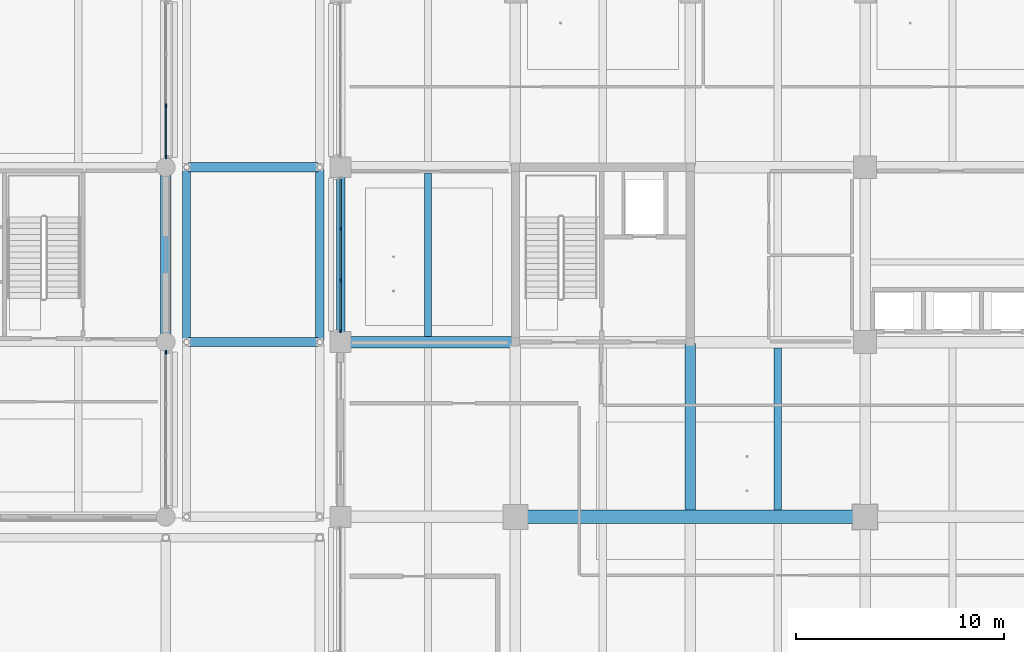
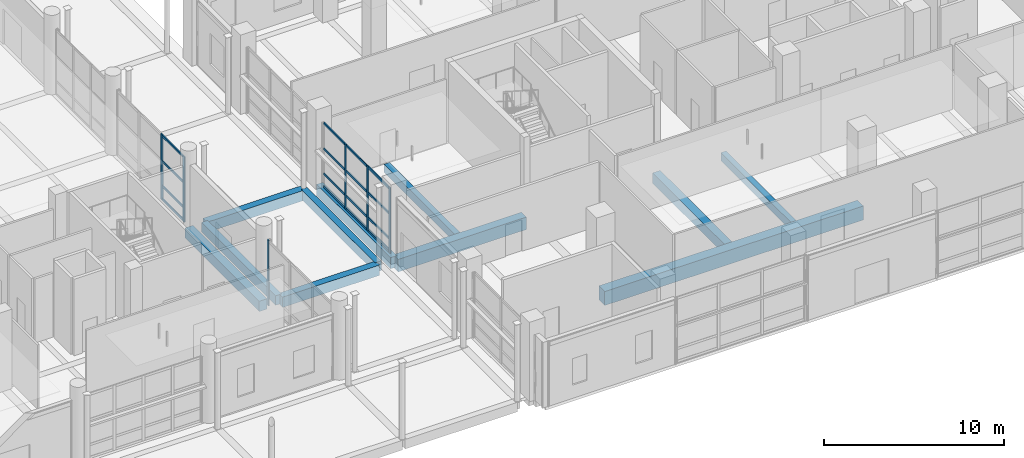
# One storey, part 21 of 140: 22 members, 11 beams, 3 elements without a shape of their own.
"""IFC4 building model written with IfcOpenShell, lengths in metres."""

from ifc_helpers import new_model, si_unit, direction, frame, origin, origin_2d, place, context, subcontext, project, spatial, rectangle, extrude, material, layer, layer_set, material_profile, profile_set, type_object, element, aggregate, save


model = new_model("IFC4")

# Units and contexts
model_context = context("Model", 3, precision=1e-05, world=origin(), true_north=direction((0.0, 1.0)))
body_context = subcontext(model_context, "Body", "Model", "MODEL_VIEW")
ifc_project = project(units=[si_unit("LENGTHUNIT", "METRE"), si_unit("AREAUNIT", "SQUARE_METRE"), si_unit("VOLUMEUNIT", "CUBIC_METRE"), si_unit("PLANEANGLEUNIT", "RADIAN"), si_unit("MASSUNIT", "GRAM", prefix="KILO")], contexts=[model_context])

# Site, building, storey
site_placement = place(None, origin())
site = spatial("IfcSite", under=ifc_project, at=site_placement, CompositionType="ELEMENT")
building_placement = place(site_placement, origin())
building = spatial("IfcBuilding", under=site, at=building_placement, Name="Telukmera Botanical Conservatory", CompositionType="ELEMENT")
storey_placement = place(building_placement, origin())
storey = spatial("IfcBuildingStorey", under=building, at=storey_placement, Name="L00", CompositionType="ELEMENT", Elevation=0.0)

# Beams
ifc_material_1 = material(Name="Concrete C40/50", Category="concrete")
ifc_material_profile_1 = material_profile(ifc_material_1, rectangle(XDim=0.5, YDim=0.699951171875, at=origin_2d()), Name="RC 500x700")
ifc_profile_set_1 = profile_set([ifc_material_profile_1], Name="Concrete C40/50")
beam_type_1 = type_object("IfcBeamType", Name="Beam_B14", PredefinedType="BEAM", material=ifc_profile_set_1)
beam_1_placement = place(storey_placement, frame((67.199951171875, 17.925048828125, -0.35009765625), z_axis=(0.0, 1.0, 0.0), x_axis=(-1.0, 0.0, 0.0)))
element("IfcBeam", 1, at=beam_1_placement, inside=storey, type_object=beam_type_1, Name="Tower Hall Secondary Girder L00", PredefinedType="BEAM", context=body_context, shape_type="SweptSolid", body=[
    extrude(rectangle(XDim=0.5, YDim=0.699951171875, at=origin_2d()), origin(), (0.0, 0.0, 1.0), 7.994873046875),
])
beam_2_placement = place(storey_placement, frame((42.0, 26.080078125, -0.35009765625), z_axis=(0.0, 1.0, 0.0), x_axis=(-1.0, 0.0, 0.0)))
element("IfcBeam", 2, at=beam_2_placement, inside=storey, type_object=beam_type_1, Name="Visitor Wing Transverse Beam L00", PredefinedType="BEAM", context=body_context, shape_type="SweptSolid", body=[
    extrude(rectangle(XDim=0.5, YDim=0.699951171875, at=origin_2d()), origin(), (0.0, 0.0, 1.0), 8.239990234375),
])
ifc_material_profile_2 = material_profile(ifc_material_1, rectangle(XDim=0.449951171875, YDim=0.699951171875, at=origin_2d()), Name="RC 450x700")
ifc_profile_set_2 = profile_set([ifc_material_profile_2], Name="Concrete C40/50")
beam_type_2 = type_object("IfcBeamType", Name="Beam_B15", PredefinedType="BEAM", material=ifc_profile_set_2)
for number, where, z_axis, x_axis, name in (
    (3, (43.080078125, 26.0, -0.35009765625), (1.0, 0.0, 0.0), (0.0, 1.0, 0.0), "West Arcade Deck Transverse Beam L00"),
    (4, (43.080078125, 34.39990234375, -0.35009765625), (1.0, 0.0, 0.0), (0.0, 1.0, 0.0), "West Arcade Deck Transverse Beam L00"),
):
    element("IfcBeam", number, at=place(storey_placement, frame(where, z_axis=z_axis, x_axis=x_axis)), inside=storey, type_object=beam_type_2, Name=name, PredefinedType="BEAM", context=body_context, shape_type="SweptSolid", body=[
        extrude(rectangle(XDim=0.449951171875, YDim=0.699951171875, at=origin_2d()), origin(), (0.0, 0.0, 1.0), 6.239990234375),
    ])
ifc_material_profile_3 = material_profile(ifc_material_1, rectangle(XDim=0.64990234375, YDim=0.949951171875, at=origin_2d()), Name="RC 650x950")
ifc_profile_set_3 = profile_set([ifc_material_profile_3], Name="Concrete C40/50")
beam_type_3 = type_object("IfcBeamType", Name="Beam_B2", PredefinedType="BEAM", material=ifc_profile_set_3)
beam_3_placement = place(storey_placement, frame((58.8798828125, 17.60009765625, -0.47509765625), z_axis=(1.0, 0.0, 0.0), x_axis=(0.0, 1.0, 0.0)))
element("IfcBeam", 5, at=beam_3_placement, inside=storey, type_object=beam_type_3, Name="Tower Grid Beam L00", PredefinedType="BEAM", context=body_context, shape_type="SweptSolid", body=[
    extrude(rectangle(XDim=0.64990234375, YDim=0.949951171875, at=origin_2d()), origin(), (0.0, 0.0, 1.0), 16.64013671875),
])
ifc_material_profile_4 = material_profile(ifc_material_1, rectangle(XDim=0.35009765625, YDim=0.550048828125, at=origin_2d()), Name="RC 350x550")
ifc_profile_set_4 = profile_set([ifc_material_profile_4], Name="Concrete C40/50")
beam_type_4 = type_object("IfcBeamType", Name="Beam_B21", PredefinedType="JOIST", material=ifc_profile_set_4)
beam_4_placement = place(storey_placement, frame((54.60009765625, 26.27490234375, -0.27490234375), z_axis=(0.0, 1.0, 0.0), x_axis=(-1.0, 0.0, 0.0)))
element("IfcBeam", 6, at=beam_4_placement, inside=storey, type_object=beam_type_4, Name="Tower Secondary Floor Joist L00", PredefinedType="JOIST", context=body_context, shape_type="SweptSolid", body=[
    extrude(rectangle(XDim=0.35009765625, YDim=0.550048828125, at=origin_2d()), origin(), (0.0, 0.0, 1.0), 7.85009765625),
])
beam_5_placement = place(storey_placement, frame((71.39990234375, 17.925048828125, -0.27490234375), z_axis=(0.0, 1.0, 0.0), x_axis=(-1.0, 0.0, 0.0)))
element("IfcBeam", 7, at=beam_5_placement, inside=storey, type_object=beam_type_4, Name="Tower Secondary Floor Joist L00", PredefinedType="JOIST", context=body_context, shape_type="SweptSolid", body=[
    extrude(rectangle(XDim=0.35009765625, YDim=0.550048828125, at=origin_2d()), origin(), (0.0, 0.0, 1.0), 7.800048828125),
])
ifc_material_profile_5 = material_profile(ifc_material_1, rectangle(XDim=0.550048828125, YDim=0.85009765625, at=origin_2d()), Name="RC 550x850")
ifc_profile_set_5 = profile_set([ifc_material_profile_5], Name="Concrete C40/50")
beam_type_5 = type_object("IfcBeamType", Name="Beam_B4", PredefinedType="BEAM", material=ifc_profile_set_5)
beam_6_placement = place(storey_placement, frame((50.47998046875, 26.0, -0.425048828125), z_axis=(1.0, 0.0, 0.0), x_axis=(0.0, 1.0, 0.0)))
element("IfcBeam", 8, at=beam_6_placement, inside=storey, type_object=beam_type_5, Name="Tower Grid Beam L00", PredefinedType="BEAM", context=body_context, shape_type="SweptSolid", body=[
    extrude(rectangle(XDim=0.550048828125, YDim=0.85009765625, at=origin_2d()), origin(), (0.0, 0.0, 1.0), 8.239990234375),
])
ifc_material_profile_6 = material_profile(ifc_material_1, rectangle(XDim=0.39990234375, YDim=0.64990234375, at=origin_2d()), Name="RC 400x650")
ifc_profile_set_6 = profile_set([ifc_material_profile_6], Name="Concrete C40/50")
beam_type_6 = type_object("IfcBeamType", Name="Beam_B8", PredefinedType="BEAM", material=ifc_profile_set_6)
for number, where, z_axis, x_axis, name in (
    (9, (43.0, 26.080078125, -0.324951171875), (0.0, 1.0, 0.0), (-1.0, 0.0, 0.0), "West Arcade Deck Girder L00"),
    (10, (49.39990234375, 26.080078125, -0.324951171875), (0.0, 1.0, 0.0), (-1.0, 0.0, 0.0), "West Arcade Deck Girder L00"),
):
    element("IfcBeam", number, at=place(storey_placement, frame(where, z_axis=z_axis, x_axis=x_axis)), inside=storey, type_object=beam_type_6, Name=name, PredefinedType="BEAM", context=body_context, shape_type="SweptSolid", body=[
        extrude(rectangle(XDim=0.39990234375, YDim=0.64990234375, at=origin_2d()), origin(), (0.0, 0.0, 1.0), 8.239990234375),
    ])
ifc_material_2 = material(Name="Precast concrete C40/50", Category="concrete")
ifc_material_profile_7 = material_profile(ifc_material_2, rectangle(XDim=0.39990234375, YDim=0.75, at=origin_2d()), Name="PC 400x750")
ifc_profile_set_7 = profile_set([ifc_material_profile_7], Name="Precast concrete C40/50")
beam_type_7 = type_object("IfcBeamType", Name="Beam_SP1", PredefinedType="SPANDREL", material=ifc_profile_set_7)
beam_7_placement = place(storey_placement, frame((50.39990234375, 26.080078125, -0.375), z_axis=(0.0, 1.0, 0.0), x_axis=(-1.0, 0.0, 0.0)))
element("IfcBeam", 11, at=beam_7_placement, inside=storey, type_object=beam_type_7, Name="Tower Transverse Beam L00", PredefinedType="SPANDREL", context=body_context, shape_type="SweptSolid", body=[
    extrude(rectangle(XDim=0.39990234375, YDim=0.75, at=origin_2d()), origin(), (0.0, 0.0, 1.0), 8.239990234375),
])

# Curtain wall, member
ifc_material_3 = material(Name="Anodised aluminium 6063-T6", Category="aluminium")
ifc_layer_1 = layer(ifc_material_3, 0.179931640625)
ifc_layer_set_1 = layer_set([ifc_layer_1], Name="Anodised aluminium 6063-T6")
curtain_wall_type_1 = type_object("IfcCurtainWallType", Name="Visitor Colonnade Ground Curtain Wall 2400 Mod", PredefinedType="USERDEFINED", material=ifc_layer_set_1)
curtain_wall_1_placement = place(storey_placement, origin())
curtain_wall_1 = element("IfcCurtainWall", 12, at=curtain_wall_1_placement, inside=storey, type_object=curtain_wall_type_1, Name="Unitised Curtain Wall CW07 V3:L00:E1", ObjectType="UNITISED CURTAIN WALL", PredefinedType="USERDEFINED")
ifc_material_profile_8 = material_profile(ifc_material_3, rectangle(XDim=0.070068359375, YDim=0.179931640625, at=origin_2d()), Name="ALU MULL 70x180")
ifc_profile_set_8 = profile_set([ifc_material_profile_8], Name="Anodised aluminium 6063-T6")
member_type_1 = type_object("IfcMemberType", Name="Curtain Wall Extruded Mullion 70x180", PredefinedType="MULLION", material=ifc_profile_set_8)
member_1_placement = place(storey_placement, frame((42.0, 25.512939453125, 0.0), z_axis=(0.0, 0.0, 1.0), x_axis=(-1.0, 0.0, 0.0)))
member_1 = element("IfcMember", 13, at=member_1_placement, type_object=member_type_1, Name="CW07 mullion 4", PredefinedType="MULLION", context=body_context, shape_type="SweptSolid", body=[
    extrude(rectangle(XDim=0.070068359375, YDim=0.179931640625, at=origin_2d()), origin(), (0.0, 0.0, 1.0), 4.449951171875),
])
aggregate(curtain_wall_1, [member_1])

# Curtain wall, members
curtain_wall_2_placement = place(storey_placement, origin())
curtain_wall_2 = element("IfcCurtainWall", 14, at=curtain_wall_2_placement, inside=storey, type_object=curtain_wall_type_1, Name="Unitised Curtain Wall CW07 V3:L00:E3", ObjectType="UNITISED CURTAIN WALL", PredefinedType="USERDEFINED")
member_2_placement = place(storey_placement, frame((42.0, 34.886962890625, 0.0), z_axis=(0.0, 0.0, 1.0), x_axis=(-1.0, 0.0, 0.0)))
member_2 = element("IfcMember", 15, at=member_2_placement, type_object=member_type_1, Name="CW07 mullion 1", PredefinedType="MULLION", context=body_context, shape_type="SweptSolid", body=[
    extrude(rectangle(XDim=0.070068359375, YDim=0.179931640625, at=origin_2d()), origin(), (0.0, 0.0, 1.0), 4.449951171875),
])
member_3_placement = place(storey_placement, frame((42.0, 37.3505859375, 0.0), z_axis=(0.0, 0.0, 1.0), x_axis=(-1.0, 0.0, 0.0)))
member_3 = element("IfcMember", 16, at=member_3_placement, type_object=member_type_1, Name="CW07 mullion 2", PredefinedType="MULLION", context=body_context, shape_type="SweptSolid", body=[
    extrude(rectangle(XDim=0.070068359375, YDim=0.179931640625, at=origin_2d()), origin(), (0.0, 0.0, 1.0), 4.449951171875),
])

ifc_layer_2 = layer(ifc_material_3, 0.179931640625)
ifc_layer_set_2 = layer_set([ifc_layer_2], Name="Anodised aluminium 6063-T6")
curtain_wall_type_2 = type_object("IfcCurtainWallType", Name="Tower Boulevard Podium Hall Curtain Wall", PredefinedType="USERDEFINED", material=ifc_layer_set_2)
curtain_wall_3_placement = place(storey_placement, origin())
curtain_wall_3 = element("IfcCurtainWall", 17, at=curtain_wall_3_placement, inside=storey, type_object=curtain_wall_type_2, Name="Unitised Curtain Wall CW12 V4:L00:W3", ObjectType="UNITISED CURTAIN WALL", PredefinedType="USERDEFINED")
member_4_placement = place(storey_placement, frame((50.39990234375, 26.537109375, 0.0), z_axis=(0.0, 0.0, 1.0), x_axis=(-1.0, 0.0, 0.0)))
member_4 = element("IfcMember", 18, at=member_4_placement, type_object=member_type_1, Name="CW12 mullion 1", PredefinedType="MULLION", context=body_context, shape_type="SweptSolid", body=[
    extrude(rectangle(XDim=0.070068359375, YDim=0.179931640625, at=origin_2d()), origin(), (0.0, 0.0, 1.0), 4.449951171875),
])
member_5_placement = place(storey_placement, frame((50.39990234375, 28.96728515625, 0.0), z_axis=(0.0, 0.0, 1.0), x_axis=(-1.0, 0.0, 0.0)))
member_5 = element("IfcMember", 19, at=member_5_placement, type_object=member_type_1, Name="CW12 mullion 2", PredefinedType="MULLION", context=body_context, shape_type="SweptSolid", body=[
    extrude(rectangle(XDim=0.070068359375, YDim=0.179931640625, at=origin_2d()), origin(), (0.0, 0.0, 1.0), 4.449951171875),
])
member_6_placement = place(storey_placement, frame((50.39990234375, 31.4326171875, 0.0), z_axis=(0.0, 0.0, 1.0), x_axis=(-1.0, 0.0, 0.0)))
member_6 = element("IfcMember", 20, at=member_6_placement, type_object=member_type_1, Name="CW12 mullion 3", PredefinedType="MULLION", context=body_context, shape_type="SweptSolid", body=[
    extrude(rectangle(XDim=0.070068359375, YDim=0.179931640625, at=origin_2d()), origin(), (0.0, 0.0, 1.0), 4.449951171875),
])

# Member
ifc_material_profile_9 = material_profile(ifc_material_3, rectangle(XDim=0.070068359375, YDim=0.14990234375, at=origin_2d()), Name="ALU TRAN 70x150")
ifc_profile_set_9 = profile_set([ifc_material_profile_9], Name="Anodised aluminium 6063-T6")
member_type_2 = type_object("IfcMemberType", Name="Curtain Wall Extruded Transom 70x150", PredefinedType="USERDEFINED", material=ifc_profile_set_9)
member_7_placement = place(storey_placement, frame((42.0, 34.922119140625, 0.074951171875), z_axis=(0.0, 1.0, 0.0), x_axis=(-1.0, 0.0, 0.0)))
member_7 = element("IfcMember", 21, at=member_7_placement, type_object=member_type_2, Name="CW07 transom 1.1", ObjectType="TRANSOM", PredefinedType="USERDEFINED", context=body_context, shape_type="SweptSolid", body=[
    extrude(rectangle(XDim=0.070068359375, YDim=0.14990234375, at=origin_2d()), origin(), (0.0, 0.0, 1.0), 2.3935546875),
])

member_8_placement = place(storey_placement, frame((42.0, 34.922119140625, 0.949951171875), z_axis=(0.0, 1.0, 0.0), x_axis=(-1.0, 0.0, 0.0)))
member_8 = element("IfcMember", 22, at=member_8_placement, type_object=member_type_2, Name="CW07 transom 1.2", ObjectType="TRANSOM", PredefinedType="USERDEFINED", context=body_context, shape_type="SweptSolid", body=[
    extrude(rectangle(XDim=0.070068359375, YDim=0.14990234375, at=origin_2d()), origin(), (0.0, 0.0, 1.0), 2.3935546875),
])

member_9_placement = place(storey_placement, frame((42.0, 34.922119140625, 2.64990234375), z_axis=(0.0, 1.0, 0.0), x_axis=(-1.0, 0.0, 0.0)))
member_9 = element("IfcMember", 23, at=member_9_placement, type_object=member_type_2, Name="CW07 transom 1.3", ObjectType="TRANSOM", PredefinedType="USERDEFINED", context=body_context, shape_type="SweptSolid", body=[
    extrude(rectangle(XDim=0.070068359375, YDim=0.14990234375, at=origin_2d()), origin(), (0.0, 0.0, 1.0), 2.3935546875),
])

member_10_placement = place(storey_placement, frame((42.0, 34.922119140625, 4.375), z_axis=(0.0, 1.0, 0.0), x_axis=(-1.0, 0.0, 0.0)))
member_10 = element("IfcMember", 24, at=member_10_placement, type_object=member_type_2, Name="CW07 transom 1.4", ObjectType="TRANSOM", PredefinedType="USERDEFINED", context=body_context, shape_type="SweptSolid", body=[
    extrude(rectangle(XDim=0.070068359375, YDim=0.14990234375, at=origin_2d()), origin(), (0.0, 0.0, 1.0), 2.3935546875),
])

aggregate(curtain_wall_2, [member_2, member_3, member_7, member_8, member_9, member_10])

member_11_placement = place(storey_placement, frame((50.39990234375, 26.572021484375, 0.074951171875), z_axis=(0.0, 1.0, 0.0), x_axis=(-1.0, 0.0, 0.0)))
member_11 = element("IfcMember", 25, at=member_11_placement, type_object=member_type_2, Name="CW12 transom 1.1", ObjectType="TRANSOM", PredefinedType="USERDEFINED", context=body_context, shape_type="SweptSolid", body=[
    extrude(rectangle(XDim=0.070068359375, YDim=0.14990234375, at=origin_2d()), origin(), (0.0, 0.0, 1.0), 2.3603515625),
])

member_12_placement = place(storey_placement, frame((50.39990234375, 26.572021484375, 0.949951171875), z_axis=(0.0, 1.0, 0.0), x_axis=(-1.0, 0.0, 0.0)))
member_12 = element("IfcMember", 26, at=member_12_placement, type_object=member_type_2, Name="CW12 transom 1.2", ObjectType="TRANSOM", PredefinedType="USERDEFINED", context=body_context, shape_type="SweptSolid", body=[
    extrude(rectangle(XDim=0.070068359375, YDim=0.14990234375, at=origin_2d()), origin(), (0.0, 0.0, 1.0), 2.3603515625),
])

member_13_placement = place(storey_placement, frame((50.39990234375, 26.572021484375, 2.64990234375), z_axis=(0.0, 1.0, 0.0), x_axis=(-1.0, 0.0, 0.0)))
member_13 = element("IfcMember", 27, at=member_13_placement, type_object=member_type_2, Name="CW12 transom 1.3", ObjectType="TRANSOM", PredefinedType="USERDEFINED", context=body_context, shape_type="SweptSolid", body=[
    extrude(rectangle(XDim=0.070068359375, YDim=0.14990234375, at=origin_2d()), origin(), (0.0, 0.0, 1.0), 2.3603515625),
])

member_14_placement = place(storey_placement, frame((50.39990234375, 26.572021484375, 4.375), z_axis=(0.0, 1.0, 0.0), x_axis=(-1.0, 0.0, 0.0)))
member_14 = element("IfcMember", 28, at=member_14_placement, type_object=member_type_2, Name="CW12 transom 1.4", ObjectType="TRANSOM", PredefinedType="USERDEFINED", context=body_context, shape_type="SweptSolid", body=[
    extrude(rectangle(XDim=0.070068359375, YDim=0.14990234375, at=origin_2d()), origin(), (0.0, 0.0, 1.0), 2.3603515625),
])

member_15_placement = place(storey_placement, frame((50.39990234375, 29.00244140625, 0.074951171875), z_axis=(0.0, 1.0, 0.0), x_axis=(-1.0, 0.0, 0.0)))
member_15 = element("IfcMember", 29, at=member_15_placement, type_object=member_type_2, Name="CW12 transom 2.1", ObjectType="TRANSOM", PredefinedType="USERDEFINED", context=body_context, shape_type="SweptSolid", body=[
    extrude(rectangle(XDim=0.070068359375, YDim=0.14990234375, at=origin_2d()), origin(), (0.0, 0.0, 1.0), 2.395263671875),
])

member_16_placement = place(storey_placement, frame((50.39990234375, 29.00244140625, 0.949951171875), z_axis=(0.0, 1.0, 0.0), x_axis=(-1.0, 0.0, 0.0)))
member_16 = element("IfcMember", 30, at=member_16_placement, type_object=member_type_2, Name="CW12 transom 2.2", ObjectType="TRANSOM", PredefinedType="USERDEFINED", context=body_context, shape_type="SweptSolid", body=[
    extrude(rectangle(XDim=0.070068359375, YDim=0.14990234375, at=origin_2d()), origin(), (0.0, 0.0, 1.0), 2.395263671875),
])

member_17_placement = place(storey_placement, frame((50.39990234375, 29.00244140625, 2.64990234375), z_axis=(0.0, 1.0, 0.0), x_axis=(-1.0, 0.0, 0.0)))
member_17 = element("IfcMember", 31, at=member_17_placement, type_object=member_type_2, Name="CW12 transom 2.3", ObjectType="TRANSOM", PredefinedType="USERDEFINED", context=body_context, shape_type="SweptSolid", body=[
    extrude(rectangle(XDim=0.070068359375, YDim=0.14990234375, at=origin_2d()), origin(), (0.0, 0.0, 1.0), 2.395263671875),
])

member_18_placement = place(storey_placement, frame((50.39990234375, 29.00244140625, 4.375), z_axis=(0.0, 1.0, 0.0), x_axis=(-1.0, 0.0, 0.0)))
member_18 = element("IfcMember", 32, at=member_18_placement, type_object=member_type_2, Name="CW12 transom 2.4", ObjectType="TRANSOM", PredefinedType="USERDEFINED", context=body_context, shape_type="SweptSolid", body=[
    extrude(rectangle(XDim=0.070068359375, YDim=0.14990234375, at=origin_2d()), origin(), (0.0, 0.0, 1.0), 2.395263671875),
])

member_19_placement = place(storey_placement, frame((50.39990234375, 31.4677734375, 0.074951171875), z_axis=(0.0, 1.0, 0.0), x_axis=(-1.0, 0.0, 0.0)))
member_19 = element("IfcMember", 33, at=member_19_placement, type_object=member_type_2, Name="CW12 transom 3.1", ObjectType="TRANSOM", PredefinedType="USERDEFINED", context=body_context, shape_type="SweptSolid", body=[
    extrude(rectangle(XDim=0.070068359375, YDim=0.14990234375, at=origin_2d()), origin(), (0.0, 0.0, 1.0), 2.360107421875),
])

member_20_placement = place(storey_placement, frame((50.39990234375, 31.4677734375, 0.949951171875), z_axis=(0.0, 1.0, 0.0), x_axis=(-1.0, 0.0, 0.0)))
member_20 = element("IfcMember", 34, at=member_20_placement, type_object=member_type_2, Name="CW12 transom 3.2", ObjectType="TRANSOM", PredefinedType="USERDEFINED", context=body_context, shape_type="SweptSolid", body=[
    extrude(rectangle(XDim=0.070068359375, YDim=0.14990234375, at=origin_2d()), origin(), (0.0, 0.0, 1.0), 2.360107421875),
])

member_21_placement = place(storey_placement, frame((50.39990234375, 31.4677734375, 2.64990234375), z_axis=(0.0, 1.0, 0.0), x_axis=(-1.0, 0.0, 0.0)))
member_21 = element("IfcMember", 35, at=member_21_placement, type_object=member_type_2, Name="CW12 transom 3.3", ObjectType="TRANSOM", PredefinedType="USERDEFINED", context=body_context, shape_type="SweptSolid", body=[
    extrude(rectangle(XDim=0.070068359375, YDim=0.14990234375, at=origin_2d()), origin(), (0.0, 0.0, 1.0), 2.360107421875),
])

member_22_placement = place(storey_placement, frame((50.39990234375, 31.4677734375, 4.375), z_axis=(0.0, 1.0, 0.0), x_axis=(-1.0, 0.0, 0.0)))
member_22 = element("IfcMember", 36, at=member_22_placement, type_object=member_type_2, Name="CW12 transom 3.4", ObjectType="TRANSOM", PredefinedType="USERDEFINED", context=body_context, shape_type="SweptSolid", body=[
    extrude(rectangle(XDim=0.070068359375, YDim=0.14990234375, at=origin_2d()), origin(), (0.0, 0.0, 1.0), 2.360107421875),
])

aggregate(curtain_wall_3, [member_4, member_5, member_6, member_11, member_12, member_13, member_14, member_15, member_16, member_17, member_18, member_19, member_20, member_21, member_22])

save(model, "model.ifc")
